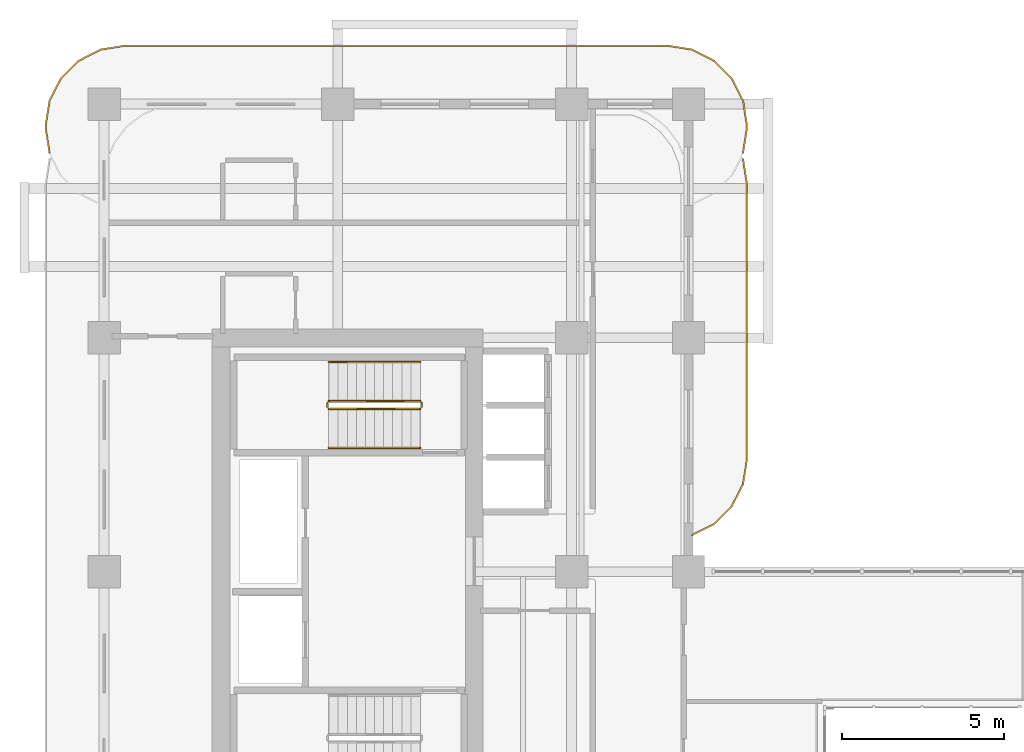
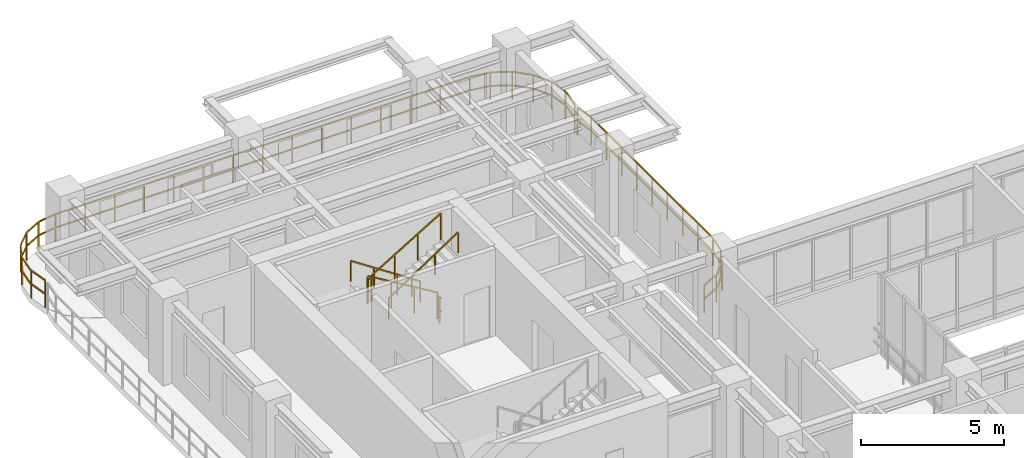
# One storey, part 20 of 20: 8 railings.
"""IFC4 building model written with IfcOpenShell, lengths in metres."""

from ifc_helpers import new_model, si_unit, derived_unit, direction, frame, origin, origin_2d, place, context, subcontext, project, spatial, rectangle, extrude, material, type_object, element, save


model = new_model("IFC4")

# Units and contexts
model_context = context("Model", 3, precision=1e-05, world=origin(), true_north=direction((0.0, 1.0)))
body_context = subcontext(model_context, "Body", "Model", "MODEL_VIEW")
ifc_project = project(units=[si_unit("LENGTHUNIT", "METRE"), si_unit("AREAUNIT", "SQUARE_METRE"), si_unit("VOLUMEUNIT", "CUBIC_METRE"), si_unit("PLANEANGLEUNIT", "RADIAN"), si_unit("MASSUNIT", "GRAM", prefix="KILO"), si_unit("THERMODYNAMICTEMPERATUREUNIT", "KELVIN"), si_unit("POWERUNIT", "WATT"), derived_unit("THERMALTRANSMITTANCEUNIT", [(si_unit("POWERUNIT", "WATT"), 1), (si_unit("AREAUNIT", "SQUARE_METRE"), -1), (si_unit("THERMODYNAMICTEMPERATUREUNIT", "KELVIN"), -1)])], contexts=[model_context])

# Site, building, storey
site_placement = place(None, origin())
site = spatial("IfcSite", under=ifc_project, at=site_placement, CompositionType="ELEMENT")
building_placement = place(site_placement, origin())
building = spatial("IfcBuilding", under=site, at=building_placement, Name="Zahravan Archway Hotel and Residences", CompositionType="ELEMENT")
storey_placement = place(building_placement, frame((0.0, 0.0, 126.60009765625)))
storey = spatial("IfcBuildingStorey", under=building, at=storey_placement, Name="L31", CompositionType="ELEMENT", Elevation=126.60009765625)

# Railings
ifc_material_1 = material(Name="Bronze & Laminated Glass Balustrade", Category="glass")
railing_type_1 = type_object("IfcRailingType", Name="RL-BAL-1200", PredefinedType="BALUSTRADE", material=ifc_material_1)
railing_1_placement = place(storey_placement, frame((-1.68017578125, 45.29296875, 0.0)))
element("IfcRailing", 1, at=railing_1_placement, inside=storey, type_object=railing_type_1, Name="L31 Balustrade RL-SLB-BAL-L31-NB-1", PredefinedType="BALUSTRADE", context=body_context, shape_type="SweptSolid", body=[
    extrude(rectangle(XDim=0.048095703125, YDim=0.048095703125, at=origin_2d()), frame((0.0, 0.0, 1.17578125), z_axis=(-0.156387811283, 0.987695728695, 0.0), x_axis=(-0.987695728695, -0.156387811283, 0.0)), (0.0, 0.0, 1.0), 0.7666015625),
    extrude(rectangle(XDim=0.048095703125, YDim=0.048095703125, at=origin_2d()), frame((0.0, 0.0, 0.60009765625), z_axis=(-0.156387811283, 0.987695728695, 0.0), x_axis=(-0.987695728695, -0.156387811283, 0.0)), (0.0, 0.0, 1.0), 0.7666015625),
    extrude(rectangle(XDim=0.048095703125, YDim=0.048095703125, at=origin_2d()), frame((-0.119873046875, 0.757080078125, 1.17578125), z_axis=(0.0, 1.0, 0.0), x_axis=(-1.0, 0.0, 0.0)), (0.0, 0.0, 1.0), 0.099853515625),
    extrude(rectangle(XDim=0.048095703125, YDim=0.048095703125, at=origin_2d()), frame((-0.119873046875, 0.757080078125, 0.60009765625), z_axis=(0.0, 1.0, 0.0), x_axis=(-1.0, 0.0, 0.0)), (0.0, 0.0, 1.0), 0.099853515625),
    extrude(rectangle(XDim=0.048095703125, YDim=0.048095703125, at=origin_2d()), frame((-0.119873046875, 0.85693359375, 1.17578125), z_axis=(0.156387811283, 0.987695728695, 0.0), x_axis=(-0.987695728695, 0.156387811283, 0.0)), (0.0, 0.0, 1.0), 0.7666015625),
    extrude(rectangle(XDim=0.048095703125, YDim=0.048095703125, at=origin_2d()), frame((-0.119873046875, 0.85693359375, 0.60009765625), z_axis=(0.156387811283, 0.987695728695, 0.0), x_axis=(-0.987695728695, 0.156387811283, 0.0)), (0.0, 0.0, 1.0), 0.7666015625),
    extrude(rectangle(XDim=0.048095703125, YDim=0.048095703125, at=origin_2d()), frame((0.0, 1.614013671875, 1.17578125), z_axis=(0.454078418624, 0.890961721815, 0.0), x_axis=(-0.890961721815, 0.454078418624, 0.0)), (0.0, 0.0, 1.0), 0.7666015625),
    extrude(rectangle(XDim=0.048095703125, YDim=0.048095703125, at=origin_2d()), frame((0.0, 1.614013671875, 0.60009765625), z_axis=(0.454078418624, 0.890961721815, 0.0), x_axis=(-0.890961721815, 0.454078418624, 0.0)), (0.0, 0.0, 1.0), 0.7666015625),
    extrude(rectangle(XDim=0.048095703125, YDim=0.048095703125, at=origin_2d()), frame((0.34814453125, 2.297119140625, 1.17578125), z_axis=(0.707106781187, 0.707106781187, 0.0), x_axis=(-0.707106781187, 0.707106781187, 0.0)), (0.0, 0.0, 1.0), 0.7666015625),
    extrude(rectangle(XDim=0.048095703125, YDim=0.048095703125, at=origin_2d()), frame((0.34814453125, 2.297119140625, 0.60009765625), z_axis=(0.707106781187, 0.707106781187, 0.0), x_axis=(-0.707106781187, 0.707106781187, 0.0)), (0.0, 0.0, 1.0), 0.7666015625),
    extrude(rectangle(XDim=0.048095703125, YDim=0.048095703125, at=origin_2d()), frame((0.89013671875, 2.839111328125, 1.17578125), z_axis=(0.891024909783, 0.453954414172, 0.0), x_axis=(-0.453954414172, 0.891024909783, 0.0)), (0.0, 0.0, 1.0), 0.766357421875),
    extrude(rectangle(XDim=0.048095703125, YDim=0.048095703125, at=origin_2d()), frame((0.89013671875, 2.839111328125, 0.60009765625), z_axis=(0.891024909783, 0.453954414172, 0.0), x_axis=(-0.453954414172, 0.891024909783, 0.0)), (0.0, 0.0, 1.0), 0.766357421875),
    extrude(rectangle(XDim=0.048095703125, YDim=0.048095703125, at=origin_2d()), frame((1.572998046875, 3.18701171875, 1.17578125), z_axis=(0.987646484274, 0.156698507018, 0.0), x_axis=(-0.156698507018, 0.987646484274, 0.0)), (0.0, 0.0, 1.0), 0.7666015625),
    extrude(rectangle(XDim=0.048095703125, YDim=0.048095703125, at=origin_2d()), frame((1.572998046875, 3.18701171875, 0.60009765625), z_axis=(0.987646484274, 0.156698507018, 0.0), x_axis=(-0.156698507018, 0.987646484274, 0.0)), (0.0, 0.0, 1.0), 0.7666015625),
    extrude(rectangle(XDim=0.048095703125, YDim=0.048095703125, at=origin_2d()), frame((2.330078125, 3.30712890625, 1.17578125), z_axis=(1.0, 0.0, 0.0), x_axis=(0.0, 1.0, 0.0)), (0.0, 0.0, 1.0), 16.7001953125),
    extrude(rectangle(XDim=0.048095703125, YDim=0.048095703125, at=origin_2d()), frame((2.330078125, 3.30712890625, 0.60009765625), z_axis=(1.0, 0.0, 0.0), x_axis=(0.0, 1.0, 0.0)), (0.0, 0.0, 1.0), 16.7001953125),
    extrude(rectangle(XDim=0.048095703125, YDim=0.048095703125, at=origin_2d()), frame((19.0302734375, 3.30712890625, 1.17578125), z_axis=(0.987646484274, -0.156698507018, 0.0), x_axis=(0.156698507018, 0.987646484274, 0.0)), (0.0, 0.0, 1.0), 0.7666015625),
    extrude(rectangle(XDim=0.048095703125, YDim=0.048095703125, at=origin_2d()), frame((19.0302734375, 3.30712890625, 0.60009765625), z_axis=(0.987646484274, -0.156698507018, 0.0), x_axis=(0.156698507018, 0.987646484274, 0.0)), (0.0, 0.0, 1.0), 0.7666015625),
    extrude(rectangle(XDim=0.048095703125, YDim=0.048095703125, at=origin_2d()), frame((19.787353515625, 3.18701171875, 1.17578125), z_axis=(0.891024909783, -0.453954414172, 0.0), x_axis=(0.453954414172, 0.891024909783, 0.0)), (0.0, 0.0, 1.0), 0.766357421875),
    extrude(rectangle(XDim=0.048095703125, YDim=0.048095703125, at=origin_2d()), frame((19.787353515625, 3.18701171875, 0.60009765625), z_axis=(0.891024909783, -0.453954414172, 0.0), x_axis=(0.453954414172, 0.891024909783, 0.0)), (0.0, 0.0, 1.0), 0.766357421875),
    extrude(rectangle(XDim=0.048095703125, YDim=0.048095703125, at=origin_2d()), frame((20.47021484375, 2.839111328125, 1.17578125), z_axis=(0.707106781187, -0.707106781187, 0.0), x_axis=(0.707106781187, 0.707106781187, 0.0)), (0.0, 0.0, 1.0), 0.7666015625),
    extrude(rectangle(XDim=0.048095703125, YDim=0.048095703125, at=origin_2d()), frame((20.47021484375, 2.839111328125, 0.60009765625), z_axis=(0.707106781187, -0.707106781187, 0.0), x_axis=(0.707106781187, 0.707106781187, 0.0)), (0.0, 0.0, 1.0), 0.7666015625),
    extrude(rectangle(XDim=0.048095703125, YDim=0.048095703125, at=origin_2d()), frame((21.01220703125, 2.297119140625, 1.17578125), z_axis=(0.454078418624, -0.890961721815, 0.0), x_axis=(0.890961721815, 0.454078418624, 0.0)), (0.0, 0.0, 1.0), 0.7666015625),
    extrude(rectangle(XDim=0.048095703125, YDim=0.048095703125, at=origin_2d()), frame((21.01220703125, 2.297119140625, 0.60009765625), z_axis=(0.454078418624, -0.890961721815, 0.0), x_axis=(0.890961721815, 0.454078418624, 0.0)), (0.0, 0.0, 1.0), 0.7666015625),
    extrude(rectangle(XDim=0.048095703125, YDim=0.048095703125, at=origin_2d()), frame((21.3603515625, 1.614013671875, 1.17578125), z_axis=(0.156387811283, -0.987695728695, 0.0), x_axis=(0.987695728695, 0.156387811283, 0.0)), (0.0, 0.0, 1.0), 0.7666015625),
    extrude(rectangle(XDim=0.048095703125, YDim=0.048095703125, at=origin_2d()), frame((21.3603515625, 1.614013671875, 0.60009765625), z_axis=(0.156387811283, -0.987695728695, 0.0), x_axis=(0.987695728695, 0.156387811283, 0.0)), (0.0, 0.0, 1.0), 0.7666015625),
    extrude(rectangle(XDim=0.048095703125, YDim=0.048095703125, at=origin_2d()), frame((21.480224609375, 0.85693359375, 1.17578125), z_axis=(0.0, -1.0, 0.0), x_axis=(1.0, 0.0, 0.0)), (0.0, 0.0, 1.0), 0.099853515625),
    extrude(rectangle(XDim=0.048095703125, YDim=0.048095703125, at=origin_2d()), frame((21.480224609375, 0.85693359375, 0.60009765625), z_axis=(0.0, -1.0, 0.0), x_axis=(1.0, 0.0, 0.0)), (0.0, 0.0, 1.0), 0.099853515625),
    extrude(rectangle(XDim=0.048095703125, YDim=0.048095703125, at=origin_2d()), frame((21.480224609375, 0.757080078125, 1.17578125), z_axis=(-0.156387811283, -0.987695728695, 0.0), x_axis=(0.987695728695, -0.156387811283, 0.0)), (0.0, 0.0, 1.0), 0.7666015625),
    extrude(rectangle(XDim=0.048095703125, YDim=0.048095703125, at=origin_2d()), frame((21.480224609375, 0.757080078125, 0.60009765625), z_axis=(-0.156387811283, -0.987695728695, 0.0), x_axis=(0.987695728695, -0.156387811283, 0.0)), (0.0, 0.0, 1.0), 0.7666015625),
    extrude(rectangle(XDim=0.0419921875, YDim=0.0419921875, at=origin_2d()), origin(), (0.0, 0.0, 1.0), 1.15185546875),
    extrude(rectangle(XDim=0.0419921875, YDim=0.0419921875, at=origin_2d()), frame((-0.119873046875, 0.757080078125, 0.0)), (0.0, 0.0, 1.0), 1.15185546875),
    extrude(rectangle(XDim=0.0419921875, YDim=0.0419921875, at=origin_2d()), frame((0.0, 1.614013671875, 0.0)), (0.0, 0.0, 1.0), 1.15185546875),
    extrude(rectangle(XDim=0.0419921875, YDim=0.0419921875, at=origin_2d()), frame((0.34814453125, 2.297119140625, 0.0)), (0.0, 0.0, 1.0), 1.15185546875),
    extrude(rectangle(XDim=0.0419921875, YDim=0.0419921875, at=origin_2d()), frame((0.89013671875, 2.839111328125, 0.0)), (0.0, 0.0, 1.0), 1.15185546875),
    extrude(rectangle(XDim=0.0419921875, YDim=0.0419921875, at=origin_2d()), frame((1.572998046875, 3.18701171875, 0.0)), (0.0, 0.0, 1.0), 1.15185546875),
    extrude(rectangle(XDim=0.0419921875, YDim=0.0419921875, at=origin_2d()), frame((2.330078125, 3.30712890625, 0.0)), (0.0, 0.0, 1.0), 1.15185546875),
    extrude(rectangle(XDim=0.0419921875, YDim=0.0419921875, at=origin_2d()), frame((3.52294921875, 3.30712890625, 0.0)), (0.0, 0.0, 1.0), 1.15185546875),
    extrude(rectangle(XDim=0.0419921875, YDim=0.0419921875, at=origin_2d()), frame((4.7158203125, 3.30712890625, 0.0)), (0.0, 0.0, 1.0), 1.15185546875),
    extrude(rectangle(XDim=0.0419921875, YDim=0.0419921875, at=origin_2d()), frame((5.90869140625, 3.30712890625, 0.0)), (0.0, 0.0, 1.0), 1.15185546875),
    extrude(rectangle(XDim=0.0419921875, YDim=0.0419921875, at=origin_2d()), frame((7.1015625, 3.30712890625, 0.0)), (0.0, 0.0, 1.0), 1.15185546875),
    extrude(rectangle(XDim=0.0419921875, YDim=0.0419921875, at=origin_2d()), frame((8.29443359375, 3.30712890625, 0.0)), (0.0, 0.0, 1.0), 1.15185546875),
    extrude(rectangle(XDim=0.0419921875, YDim=0.0419921875, at=origin_2d()), frame((9.4873046875, 3.30712890625, 0.0)), (0.0, 0.0, 1.0), 1.15185546875),
    extrude(rectangle(XDim=0.0419921875, YDim=0.0419921875, at=origin_2d()), frame((10.68017578125, 3.30712890625, 0.0)), (0.0, 0.0, 1.0), 1.15185546875),
    extrude(rectangle(XDim=0.0419921875, YDim=0.0419921875, at=origin_2d()), frame((11.873046875, 3.30712890625, 0.0)), (0.0, 0.0, 1.0), 1.15185546875),
    extrude(rectangle(XDim=0.0419921875, YDim=0.0419921875, at=origin_2d()), frame((13.06591796875, 3.30712890625, 0.0)), (0.0, 0.0, 1.0), 1.15185546875),
    extrude(rectangle(XDim=0.0419921875, YDim=0.0419921875, at=origin_2d()), frame((14.2587890625, 3.30712890625, 0.0)), (0.0, 0.0, 1.0), 1.15185546875),
    extrude(rectangle(XDim=0.0419921875, YDim=0.0419921875, at=origin_2d()), frame((15.45166015625, 3.30712890625, 0.0)), (0.0, 0.0, 1.0), 1.15185546875),
    extrude(rectangle(XDim=0.0419921875, YDim=0.0419921875, at=origin_2d()), frame((16.64453125, 3.30712890625, 0.0)), (0.0, 0.0, 1.0), 1.15185546875),
    extrude(rectangle(XDim=0.0419921875, YDim=0.0419921875, at=origin_2d()), frame((17.83740234375, 3.30712890625, 0.0)), (0.0, 0.0, 1.0), 1.15185546875),
    extrude(rectangle(XDim=0.0419921875, YDim=0.0419921875, at=origin_2d()), frame((19.0302734375, 3.30712890625, 0.0)), (0.0, 0.0, 1.0), 1.15185546875),
    extrude(rectangle(XDim=0.0419921875, YDim=0.0419921875, at=origin_2d()), frame((19.787353515625, 3.18701171875, 0.0)), (0.0, 0.0, 1.0), 1.15185546875),
    extrude(rectangle(XDim=0.0419921875, YDim=0.0419921875, at=origin_2d()), frame((20.47021484375, 2.839111328125, 0.0)), (0.0, 0.0, 1.0), 1.15185546875),
    extrude(rectangle(XDim=0.0419921875, YDim=0.0419921875, at=origin_2d()), frame((21.01220703125, 2.297119140625, 0.0)), (0.0, 0.0, 1.0), 1.15185546875),
    extrude(rectangle(XDim=0.0419921875, YDim=0.0419921875, at=origin_2d()), frame((21.3603515625, 1.614013671875, 0.0)), (0.0, 0.0, 1.0), 1.15185546875),
    extrude(rectangle(XDim=0.0419921875, YDim=0.0419921875, at=origin_2d()), frame((21.480224609375, 0.85693359375, 0.0)), (0.0, 0.0, 1.0), 1.15185546875),
    extrude(rectangle(XDim=0.0419921875, YDim=0.0419921875, at=origin_2d()), frame((21.3603515625, 0.0, 0.0)), (0.0, 0.0, 1.0), 1.15185546875),
])
railing_2_placement = place(storey_placement, frame((19.68017578125, 45.107177734375, 0.0)))
element("IfcRailing", 2, at=railing_2_placement, inside=storey, type_object=railing_type_1, Name="L31 Balustrade RL-SLB-BAL-L31-EB-1", PredefinedType="BALUSTRADE", context=body_context, shape_type="SweptSolid", body=[
    extrude(rectangle(XDim=0.048095703125, YDim=0.048095703125, at=origin_2d()), frame((0.0, 0.0, 1.17578125), z_axis=(0.156387811283, -0.987695728695, 0.0), x_axis=(0.987695728695, 0.156387811283, 0.0)), (0.0, 0.0, 1.0), 0.7666015625),
    extrude(rectangle(XDim=0.048095703125, YDim=0.048095703125, at=origin_2d()), frame((0.0, 0.0, 0.60009765625), z_axis=(0.156387811283, -0.987695728695, 0.0), x_axis=(0.987695728695, 0.156387811283, 0.0)), (0.0, 0.0, 1.0), 0.7666015625),
    extrude(rectangle(XDim=0.048095703125, YDim=0.048095703125, at=origin_2d()), frame((0.119873046875, -0.757080078125, 1.17578125), z_axis=(0.0, -1.0, 0.0), x_axis=(1.0, 0.0, 0.0)), (0.0, 0.0, 1.0), 8.5),
    extrude(rectangle(XDim=0.048095703125, YDim=0.048095703125, at=origin_2d()), frame((0.119873046875, -0.757080078125, 0.60009765625), z_axis=(0.0, -1.0, 0.0), x_axis=(1.0, 0.0, 0.0)), (0.0, 0.0, 1.0), 8.5),
    extrude(rectangle(XDim=0.048095703125, YDim=0.048095703125, at=origin_2d()), frame((0.119873046875, -9.257080078125, 1.17578125), z_axis=(-0.156387811283, -0.987695728695, 0.0), x_axis=(0.987695728695, -0.156387811283, 0.0)), (0.0, 0.0, 1.0), 0.7666015625),
    extrude(rectangle(XDim=0.048095703125, YDim=0.048095703125, at=origin_2d()), frame((0.119873046875, -9.257080078125, 0.60009765625), z_axis=(-0.156387811283, -0.987695728695, 0.0), x_axis=(0.987695728695, -0.156387811283, 0.0)), (0.0, 0.0, 1.0), 0.7666015625),
    extrude(rectangle(XDim=0.048095703125, YDim=0.048095703125, at=origin_2d()), frame((0.0, -10.01416015625, 1.17578125), z_axis=(-0.454078418624, -0.890961721815, 0.0), x_axis=(0.890961721815, -0.454078418624, 0.0)), (0.0, 0.0, 1.0), 0.7666015625),
    extrude(rectangle(XDim=0.048095703125, YDim=0.048095703125, at=origin_2d()), frame((0.0, -10.01416015625, 0.60009765625), z_axis=(-0.454078418624, -0.890961721815, 0.0), x_axis=(0.890961721815, -0.454078418624, 0.0)), (0.0, 0.0, 1.0), 0.7666015625),
    extrude(rectangle(XDim=0.048095703125, YDim=0.048095703125, at=origin_2d()), frame((-0.34814453125, -10.697265625, 1.17578125), z_axis=(-0.707106781187, -0.707106781187, 0.0), x_axis=(0.707106781187, -0.707106781187, 0.0)), (0.0, 0.0, 1.0), 0.7666015625),
    extrude(rectangle(XDim=0.048095703125, YDim=0.048095703125, at=origin_2d()), frame((-0.34814453125, -10.697265625, 0.60009765625), z_axis=(-0.707106781187, -0.707106781187, 0.0), x_axis=(0.707106781187, -0.707106781187, 0.0)), (0.0, 0.0, 1.0), 0.7666015625),
    extrude(rectangle(XDim=0.048095703125, YDim=0.048095703125, at=origin_2d()), frame((-0.89013671875, -11.2392578125, 1.17578125), z_axis=(-0.891024909783, -0.453954414172, 0.0), x_axis=(0.453954414172, -0.891024909783, 0.0)), (0.0, 0.0, 1.0), 0.766357421875),
    extrude(rectangle(XDim=0.048095703125, YDim=0.048095703125, at=origin_2d()), frame((-0.89013671875, -11.2392578125, 0.60009765625), z_axis=(-0.891024909783, -0.453954414172, 0.0), x_axis=(0.453954414172, -0.891024909783, 0.0)), (0.0, 0.0, 1.0), 0.766357421875),
    extrude(rectangle(XDim=0.0419921875, YDim=0.0419921875, at=origin_2d()), origin(), (0.0, 0.0, 1.0), 1.15185546875),
    extrude(rectangle(XDim=0.0419921875, YDim=0.0419921875, at=origin_2d()), frame((0.119873046875, -0.757080078125, 0.0)), (0.0, 0.0, 1.0), 1.15185546875),
    extrude(rectangle(XDim=0.0419921875, YDim=0.0419921875, at=origin_2d()), frame((0.119873046875, -1.819580078125, 0.0)), (0.0, 0.0, 1.0), 1.15185546875),
    extrude(rectangle(XDim=0.0419921875, YDim=0.0419921875, at=origin_2d()), frame((0.119873046875, -2.882080078125, 0.0)), (0.0, 0.0, 1.0), 1.15185546875),
    extrude(rectangle(XDim=0.0419921875, YDim=0.0419921875, at=origin_2d()), frame((0.119873046875, -3.944580078125, 0.0)), (0.0, 0.0, 1.0), 1.15185546875),
    extrude(rectangle(XDim=0.0419921875, YDim=0.0419921875, at=origin_2d()), frame((0.119873046875, -5.007080078125, 0.0)), (0.0, 0.0, 1.0), 1.15185546875),
    extrude(rectangle(XDim=0.0419921875, YDim=0.0419921875, at=origin_2d()), frame((0.119873046875, -6.069580078125, 0.0)), (0.0, 0.0, 1.0), 1.15185546875),
    extrude(rectangle(XDim=0.0419921875, YDim=0.0419921875, at=origin_2d()), frame((0.119873046875, -7.132080078125, 0.0)), (0.0, 0.0, 1.0), 1.15185546875),
    extrude(rectangle(XDim=0.0419921875, YDim=0.0419921875, at=origin_2d()), frame((0.119873046875, -8.194580078125, 0.0)), (0.0, 0.0, 1.0), 1.15185546875),
    extrude(rectangle(XDim=0.0419921875, YDim=0.0419921875, at=origin_2d()), frame((0.119873046875, -9.257080078125, 0.0)), (0.0, 0.0, 1.0), 1.15185546875),
    extrude(rectangle(XDim=0.0419921875, YDim=0.0419921875, at=origin_2d()), frame((0.0, -10.01416015625, 0.0)), (0.0, 0.0, 1.0), 1.15185546875),
    extrude(rectangle(XDim=0.0419921875, YDim=0.0419921875, at=origin_2d()), frame((-0.34814453125, -10.697265625, 0.0)), (0.0, 0.0, 1.0), 1.15185546875),
    extrude(rectangle(XDim=0.0419921875, YDim=0.0419921875, at=origin_2d()), frame((-0.89013671875, -11.2392578125, 0.0)), (0.0, 0.0, 1.0), 1.15185546875),
    extrude(rectangle(XDim=0.0419921875, YDim=0.0419921875, at=origin_2d()), frame((-1.572998046875, -11.587158203125, 0.0)), (0.0, 0.0, 1.0), 1.15185546875),
])
ifc_material_2 = material(Name="Painted Tubular Steel", Category="steel")
railing_type_2 = type_object("IfcRailingType", Name="RL-STG-1150", PredefinedType="GUARDRAIL", material=ifc_material_2)
railing_3_placement = place(storey_placement, frame((9.72998046875, 37.64990234375, 0.16796875)))
element("IfcRailing", 3, at=railing_3_placement, inside=storey, type_object=railing_type_2, Name="L31 ST-B2 stair guard 1", PredefinedType="GUARDRAIL", context=body_context, shape_type="SweptSolid", body=[
    extrude(rectangle(XDim=0.048095703125, YDim=0.048095703125, at=origin_2d()), frame((0.0, 0.0, 1.1259765625), z_axis=(-0.857242210791, 0.0, 0.514913383045), x_axis=(0.0, -1.0, 0.0)), (0.0, 0.0, 1.0), 3.266357421875),
    extrude(rectangle(XDim=0.0419921875, YDim=0.0419921875, at=origin_2d()), origin(), (0.0, 0.0, 1.0), 1.101806640625),
    extrude(rectangle(XDim=0.0419921875, YDim=0.0419921875, at=origin_2d()), frame((-0.933349609375, 0.0, 0.560546875)), (0.0, 0.0, 1.0), 1.101806640625),
    extrude(rectangle(XDim=0.0419921875, YDim=0.0419921875, at=origin_2d()), frame((-1.86669921875, 0.0, 1.121337890625)), (0.0, 0.0, 1.0), 1.101806640625),
    extrude(rectangle(XDim=0.0419921875, YDim=0.0419921875, at=origin_2d()), frame((-2.800048828125, 0.0, 1.681884765625)), (0.0, 0.0, 1.0), 1.101806640625),
])
railing_4_placement = place(storey_placement, frame((6.8798828125, 37.60009765625, 1.849853515625)))
element("IfcRailing", 4, at=railing_4_placement, inside=storey, type_object=railing_type_2, Name="L31 ST-B2 stair guard 2", PredefinedType="GUARDRAIL", context=body_context, shape_type="SweptSolid", body=[
    extrude(rectangle(XDim=0.048095703125, YDim=0.048095703125, at=origin_2d()), frame((0.0, 0.0, 1.1259765625), z_axis=(0.0, -1.0, 0.0), x_axis=(1.0, 0.0, 0.0)), (0.0, 0.0, 1.0), 0.14013671875),
    extrude(rectangle(XDim=0.048095703125, YDim=0.048095703125, at=origin_2d()), frame((0.0, 0.0, 0.574951171875), z_axis=(0.0, -1.0, 0.0), x_axis=(1.0, 0.0, 0.0)), (0.0, 0.0, 1.0), 0.14013671875),
    extrude(rectangle(XDim=0.0419921875, YDim=0.0419921875, at=origin_2d()), origin(), (0.0, 0.0, 1.0), 1.101806640625),
])
railing_5_placement = place(storey_placement, frame((6.929931640625, 37.409912109375, 2.01806640625)))
element("IfcRailing", 5, at=railing_5_placement, inside=storey, type_object=railing_type_2, Name="L31 ST-B2 stair guard 3", PredefinedType="GUARDRAIL", context=body_context, shape_type="SweptSolid", body=[
    extrude(rectangle(XDim=0.048095703125, YDim=0.048095703125, at=origin_2d()), frame((0.0, 0.0, 1.1259765625), z_axis=(0.857242210791, 0.0, 0.514913383045), x_axis=(0.0, 1.0, 0.0)), (0.0, 0.0, 1.0), 3.266357421875),
    extrude(rectangle(XDim=0.0419921875, YDim=0.0419921875, at=origin_2d()), origin(), (0.0, 0.0, 1.0), 1.101806640625),
    extrude(rectangle(XDim=0.0419921875, YDim=0.0419921875, at=origin_2d()), frame((0.933349609375, 0.0, 0.560546875)), (0.0, 0.0, 1.0), 1.101806640625),
    extrude(rectangle(XDim=0.0419921875, YDim=0.0419921875, at=origin_2d()), frame((1.86669921875, 0.0, 1.121337890625)), (0.0, 0.0, 1.0), 1.101806640625),
    extrude(rectangle(XDim=0.0419921875, YDim=0.0419921875, at=origin_2d()), frame((2.800048828125, 0.0, 1.681884765625)), (0.0, 0.0, 1.0), 1.101806640625),
])
railing_6_placement = place(storey_placement, frame((9.780029296875, 37.60009765625, 0.0)))
element("IfcRailing", 6, at=railing_6_placement, inside=storey, type_object=railing_type_2, Name="L31 ST-B2 stair guard 4", PredefinedType="GUARDRAIL", context=body_context, shape_type="SweptSolid", body=[
    extrude(rectangle(XDim=0.048095703125, YDim=0.048095703125, at=origin_2d()), frame((0.0, 0.0, 1.1259765625), z_axis=(0.0, -1.0, 0.0), x_axis=(1.0, 0.0, 0.0)), (0.0, 0.0, 1.0), 0.14013671875),
    extrude(rectangle(XDim=0.048095703125, YDim=0.048095703125, at=origin_2d()), frame((0.0, 0.0, 0.574951171875), z_axis=(0.0, -1.0, 0.0), x_axis=(1.0, 0.0, 0.0)), (0.0, 0.0, 1.0), 0.14013671875),
    extrude(rectangle(XDim=0.0419921875, YDim=0.0419921875, at=origin_2d()), origin(), (0.0, 0.0, 1.0), 1.101806640625),
])
ifc_material_3 = material(Name="Brushed Stainless Steel", Category="steel")
railing_type_3 = type_object("IfcRailingType", Name="RL-STH-900", PredefinedType="HANDRAIL", material=ifc_material_3)
railing_7_placement = place(storey_placement, frame((9.72998046875, 38.85009765625, 0.16796875)))
element("IfcRailing", 7, at=railing_7_placement, inside=storey, type_object=railing_type_3, Name="L31 ST-B2 stair handrail 1", PredefinedType="HANDRAIL", context=body_context, shape_type="SweptSolid", body=[
    extrude(rectangle(XDim=0.048095703125, YDim=0.048095703125, at=origin_2d()), frame((0.0, 0.0, 0.8759765625), z_axis=(-0.834326358476, 0.0, 0.551270829586), x_axis=(0.0, -1.0, 0.0)), (0.0, 0.0, 1.0), 3.35595703125),
    extrude(rectangle(XDim=0.0419921875, YDim=0.0419921875, at=origin_2d()), origin(), (0.0, 0.0, 1.0), 0.851806640625),
    extrude(rectangle(XDim=0.0419921875, YDim=0.0419921875, at=origin_2d()), frame((-0.933349609375, 0.0, 0.61669921875)), (0.0, 0.0, 1.0), 0.851806640625),
    extrude(rectangle(XDim=0.0419921875, YDim=0.0419921875, at=origin_2d()), frame((-1.86669921875, 0.0, 1.2333984375)), (0.0, 0.0, 1.0), 0.851806640625),
    extrude(rectangle(XDim=0.0419921875, YDim=0.0419921875, at=origin_2d()), frame((-2.800048828125, 0.0, 1.85009765625)), (0.0, 0.0, 1.0), 0.851806640625),
])
railing_8_placement = place(storey_placement, frame((6.929931640625, 36.2099609375, 2.01806640625)))
element("IfcRailing", 8, at=railing_8_placement, inside=storey, type_object=railing_type_3, Name="L31 ST-B2 stair handrail 2", PredefinedType="HANDRAIL", context=body_context, shape_type="SweptSolid", body=[
    extrude(rectangle(XDim=0.048095703125, YDim=0.048095703125, at=origin_2d()), frame((0.0, 0.0, 0.8759765625), z_axis=(0.834326358476, 0.0, 0.551270829586), x_axis=(0.0, 1.0, 0.0)), (0.0, 0.0, 1.0), 3.35595703125),
    extrude(rectangle(XDim=0.0419921875, YDim=0.0419921875, at=origin_2d()), origin(), (0.0, 0.0, 1.0), 0.851806640625),
    extrude(rectangle(XDim=0.0419921875, YDim=0.0419921875, at=origin_2d()), frame((0.933349609375, 0.0, 0.61669921875)), (0.0, 0.0, 1.0), 0.851806640625),
    extrude(rectangle(XDim=0.0419921875, YDim=0.0419921875, at=origin_2d()), frame((1.86669921875, 0.0, 1.2333984375)), (0.0, 0.0, 1.0), 0.851806640625),
    extrude(rectangle(XDim=0.0419921875, YDim=0.0419921875, at=origin_2d()), frame((2.800048828125, 0.0, 1.85009765625)), (0.0, 0.0, 1.0), 0.851806640625),
])

save(model, "model.ifc")
